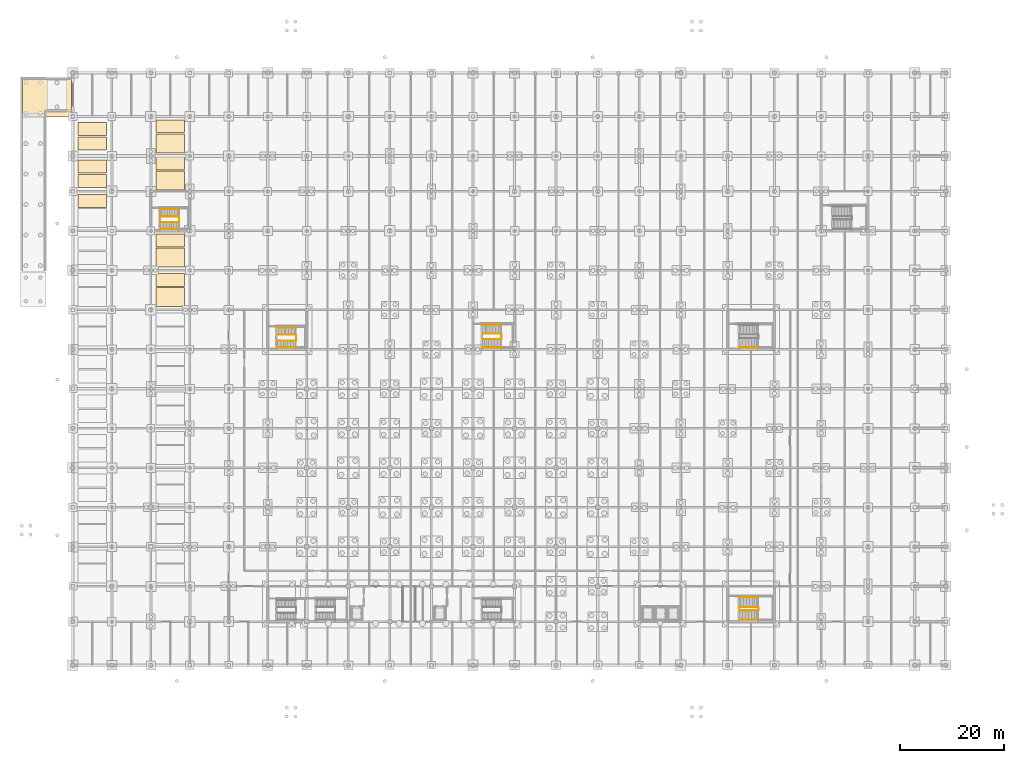
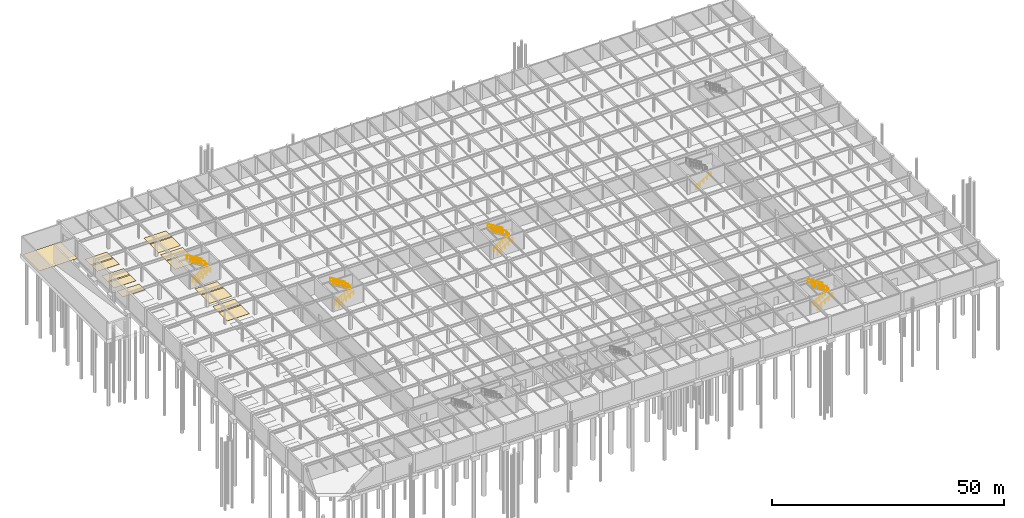
# One storey, part 51 of 53: 14 coverings, 13 railings.
"""IFC4 building model written with IfcOpenShell, lengths in metres."""

from ifc_helpers import new_model, si_unit, direction, frame, origin, origin_2d, place, context, subcontext, project, spatial, polyline, circle, outline, extrude, material, layer, layer_set, type_object, element, save


model = new_model("IFC4")

# Units and contexts
model_context = context("Model", 3, precision=1e-05, world=origin(), true_north=direction((0.0, 1.0)))
body_context = subcontext(model_context, "Body", "Model", "MODEL_VIEW")
ifc_project = project(units=[si_unit("LENGTHUNIT", "METRE"), si_unit("AREAUNIT", "SQUARE_METRE"), si_unit("VOLUMEUNIT", "CUBIC_METRE"), si_unit("PLANEANGLEUNIT", "RADIAN"), si_unit("MASSUNIT", "GRAM", prefix="KILO")], contexts=[model_context])

# Site, building, storey
site_placement = place(None, origin())
site = spatial("IfcSite", under=ifc_project, at=site_placement, CompositionType="ELEMENT")
building_placement = place(site_placement, origin())
building = spatial("IfcBuilding", under=site, at=building_placement, Name="Shalkamar Park Central Library", CompositionType="ELEMENT")
storey_placement = place(building_placement, frame((0.0, 0.0, -4.800048828125)))
storey = spatial("IfcBuildingStorey", under=building, at=storey_placement, Name="B1", CompositionType="ELEMENT", Elevation=-4.800048828125)

# Coverings
ifc_material_1 = material(Name="Thermoplastic accessible MGN parking bay marking", Category="other")
ifc_layer_1 = layer(ifc_material_1, 0.014892578125)
ifc_layer_set_1 = layer_set([ifc_layer_1], Name="AccessibleParkingBayMarking_3660x5500")
covering_type_1 = type_object("IfcCoveringType", Name="Accessible Parking Bay Marking 3660x5500", PredefinedType="FLOORING", material=ifc_layer_set_1)
covering_1_placement = place(storey_placement, origin())
element("IfcCovering", 1, at=covering_1_placement, inside=storey, type_object=covering_type_1, Name="Accessible MGN Parking Bay 13", PredefinedType="FLOORING", context=body_context, shape_type="SweptSolid", body=[
    extrude(outline(polyline([(136.0, 309.02001953125), (141.5, 309.02001953125), (141.5, 312.679931640625), (136.0, 312.679931640625), (136.0, 309.02001953125)])), origin(), (0.0, 0.0, 1.0), 0.01513671875),
])
covering_2_placement = place(storey_placement, origin())
element("IfcCovering", 2, at=covering_2_placement, inside=storey, type_object=covering_type_1, Name="Accessible MGN Parking Bay 14", PredefinedType="FLOORING", context=body_context, shape_type="SweptSolid", body=[
    extrude(outline(polyline([(136.0, 316.6201171875), (141.5, 316.6201171875), (141.5, 320.280029296875), (136.0, 320.280029296875), (136.0, 316.6201171875)])), origin(), (0.0, 0.0, 1.0), 0.01513671875),
])
covering_3_placement = place(storey_placement, origin())
element("IfcCovering", 3, at=covering_3_placement, inside=storey, type_object=covering_type_1, Name="Accessible MGN Parking Bay 15", PredefinedType="FLOORING", context=body_context, shape_type="SweptSolid", body=[
    extrude(outline(polyline([(136.0, 331.419921875), (141.5, 331.419921875), (141.5, 335.080078125), (136.0, 335.080078125), (136.0, 331.419921875)])), origin(), (0.0, 0.0, 1.0), 0.01513671875),
])
covering_4_placement = place(storey_placement, origin())
element("IfcCovering", 4, at=covering_4_placement, inside=storey, type_object=covering_type_1, Name="Accessible MGN Parking Bay 16", PredefinedType="FLOORING", context=body_context, shape_type="SweptSolid", body=[
    extrude(outline(polyline([(136.0, 338.6201171875), (141.5, 338.6201171875), (141.5, 342.280029296875), (136.0, 342.280029296875), (136.0, 338.6201171875)])), origin(), (0.0, 0.0, 1.0), 0.01513671875),
])
ifc_material_2 = material(Name="Flamed grey granite paving", Category="masonry")
ifc_layer_2 = layer(ifc_material_2, 0.0400390625)
ifc_layer_set_2 = layer_set([ifc_layer_2], Name="FlamedGranitePlazaPaving")
covering_type_2 = type_object("IfcCoveringType", Name="Flamed Granite Plaza Paving", PredefinedType="FLOORING", material=ifc_layer_set_2)
covering_5_placement = place(storey_placement, origin())
element("IfcCovering", 5, at=covering_5_placement, inside=storey, type_object=covering_type_2, Name="Car Park Vehicle Driveway Turning Court Paving", PredefinedType="FLOORING", context=body_context, shape_type="SweptSolid", body=[
    extrude(outline(polyline([(110.300048828125, 345.5), (119.77001953125, 345.5), (119.77001953125, 352.699951171875), (110.300048828125, 352.699951171875), (110.300048828125, 345.5)])), origin(), (0.0, 0.0, 1.0), 0.0400390625),
])

# Railings
ifc_material_3 = material(Name="Steel S355", Category="steel")
railing_type_1 = type_object("IfcRailingType", Name="Stair Guardrail 1100", PredefinedType="GUARDRAIL", material=ifc_material_3)
railing_1_placement = place(storey_placement, frame((159.27490234375, 302.465087890625, 0.17138671875)))
element("IfcRailing", 6, at=railing_1_placement, inside=storey, type_object=railing_type_1, Name="Stair Inner Well Guardrail ST-P2-B1", PredefinedType="GUARDRAIL", context=body_context, shape_type="SweptSolid", body=[
    extrude(circle(Radius=0.02392578125, at=origin_2d()), frame((0.0, 0.0, 1.076171875), z_axis=(0.852840387347, 0.0, 0.522171689878), x_axis=(0.0, 1.0, 0.0)), (0.0, 0.0, 1.0), 4.268310546875),
    extrude(circle(Radius=0.02392578125, at=origin_2d()), frame((3.64013671875, 0.0, 3.3046875), z_axis=(1.0, 0.0, 0.0), x_axis=(0.0, 1.0, 0.0)), (0.0, 0.0, 1.0), 0.06005859375),
    extrude(circle(Radius=0.02392578125, at=origin_2d()), frame((3.7001953125, 0.0, 3.3046875), z_axis=(0.0, 1.0, 0.0), x_axis=(-1.0, 0.0, 0.0)), (0.0, 0.0, 1.0), 1.119873046875),
    extrude(circle(Radius=0.02392578125, at=origin_2d()), frame((3.7001953125, 1.119873046875, 3.3046875), z_axis=(-0.33070969211, 0.0, 0.943732536021), x_axis=(0.0, -1.0, 0.0)), (0.0, 0.0, 1.0), 0.181640625),
    extrude(circle(Radius=0.02392578125, at=origin_2d()), frame((3.64013671875, 1.119873046875, 3.47607421875), z_axis=(-0.852865859571, 0.0, 0.52213008492), x_axis=(0.0, -1.0, 0.0)), (0.0, 0.0, 1.0), 4.26806640625),
    extrude(circle(Radius=0.02099609375, at=origin_2d()), origin(), (0.0, 0.0, 1.0), 1.052001953125),
    extrude(circle(Radius=0.02099609375, at=origin_2d()), frame((0.72802734375, 0.0, 0.44580078125)), (0.0, 0.0, 1.0), 1.052001953125),
    extrude(circle(Radius=0.02099609375, at=origin_2d()), frame((1.4560546875, 0.0, 0.8916015625)), (0.0, 0.0, 1.0), 1.052001953125),
    extrude(circle(Radius=0.02099609375, at=origin_2d()), frame((2.18408203125, 0.0, 1.337158203125)), (0.0, 0.0, 1.0), 1.052001953125),
    extrude(circle(Radius=0.02099609375, at=origin_2d()), frame((2.912109375, 0.0, 1.782958984375)), (0.0, 0.0, 1.0), 1.052001953125),
    extrude(circle(Radius=0.02099609375, at=origin_2d()), frame((3.64013671875, 0.0, 2.228759765625)), (0.0, 0.0, 1.0), 1.052001953125),
    extrude(circle(Radius=0.02099609375, at=origin_2d()), frame((3.7001953125, 0.0, 2.228759765625)), (0.0, 0.0, 1.0), 1.052001953125),
    extrude(circle(Radius=0.02099609375, at=origin_2d()), frame((3.7001953125, 0.56005859375, 2.228759765625)), (0.0, 0.0, 1.0), 1.052001953125),
    extrude(circle(Radius=0.02099609375, at=origin_2d()), frame((3.7001953125, 1.119873046875, 2.228759765625)), (0.0, 0.0, 1.0), 1.052001953125),
    extrude(circle(Radius=0.02099609375, at=origin_2d()), frame((3.64013671875, 1.119873046875, 2.400146484375)), (0.0, 0.0, 1.0), 1.052001953125),
    extrude(circle(Radius=0.02099609375, at=origin_2d()), frame((2.912109375, 1.119873046875, 2.845947265625)), (0.0, 0.0, 1.0), 1.052001953125),
    extrude(circle(Radius=0.02099609375, at=origin_2d()), frame((2.18408203125, 1.119873046875, 3.29150390625)), (0.0, 0.0, 1.0), 1.052001953125),
    extrude(circle(Radius=0.02099609375, at=origin_2d()), frame((1.4560546875, 1.119873046875, 3.7373046875)), (0.0, 0.0, 1.0), 1.052001953125),
    extrude(circle(Radius=0.02099609375, at=origin_2d()), frame((0.72802734375, 1.119873046875, 4.182861328125)), (0.0, 0.0, 1.0), 1.052001953125),
    extrude(circle(Radius=0.02099609375, at=origin_2d()), frame((0.0, 1.119873046875, 4.628662109375)), (0.0, 0.0, 1.0), 1.052001953125),
])
railing_2_placement = place(storey_placement, frame((248.22509765625, 250.56494140625, 0.17138671875)))
element("IfcRailing", 7, at=railing_2_placement, inside=storey, type_object=railing_type_1, Name="Stair Inner Well Guardrail ST-P3-B1", PredefinedType="GUARDRAIL", context=body_context, shape_type="SweptSolid", body=[
    extrude(circle(Radius=0.02392578125, at=origin_2d()), frame((0.0, 0.0, 1.076171875), z_axis=(0.852824790078, 0.0, 0.522197163366), x_axis=(0.0, 1.0, 0.0)), (0.0, 0.0, 1.0), 4.26806640625),
    extrude(circle(Radius=0.02392578125, at=origin_2d()), frame((3.639892578125, 0.0, 3.3046875), z_axis=(1.0, 0.0, 0.0), x_axis=(0.0, 1.0, 0.0)), (0.0, 0.0, 1.0), 0.06005859375),
    extrude(circle(Radius=0.02392578125, at=origin_2d()), frame((3.699951171875, 0.0, 3.3046875), z_axis=(0.0, 1.0, 0.0), x_axis=(-1.0, 0.0, 0.0)), (0.0, 0.0, 1.0), 0.6201171875),
    extrude(circle(Radius=0.02392578125, at=origin_2d()), frame((3.699951171875, 0.6201171875, 3.3046875), z_axis=(-0.33070969211, 0.0, 0.943732536021), x_axis=(0.0, -1.0, 0.0)), (0.0, 0.0, 1.0), 0.181640625),
    extrude(circle(Radius=0.02392578125, at=origin_2d()), frame((3.639892578125, 0.6201171875, 3.47607421875), z_axis=(-0.852850264322, 0.0, 0.5221555579), x_axis=(0.0, -1.0, 0.0)), (0.0, 0.0, 1.0), 4.267822265625),
    extrude(circle(Radius=0.02099609375, at=origin_2d()), origin(), (0.0, 0.0, 1.0), 1.052001953125),
    extrude(circle(Radius=0.02099609375, at=origin_2d()), frame((0.72802734375, 0.0, 0.44580078125)), (0.0, 0.0, 1.0), 1.052001953125),
    extrude(circle(Radius=0.02099609375, at=origin_2d()), frame((1.4560546875, 0.0, 0.8916015625)), (0.0, 0.0, 1.0), 1.052001953125),
    extrude(circle(Radius=0.02099609375, at=origin_2d()), frame((2.183837890625, 0.0, 1.337158203125)), (0.0, 0.0, 1.0), 1.052001953125),
    extrude(circle(Radius=0.02099609375, at=origin_2d()), frame((2.911865234375, 0.0, 1.782958984375)), (0.0, 0.0, 1.0), 1.052001953125),
    extrude(circle(Radius=0.02099609375, at=origin_2d()), frame((3.639892578125, 0.0, 2.228759765625)), (0.0, 0.0, 1.0), 1.052001953125),
    extrude(circle(Radius=0.02099609375, at=origin_2d()), frame((3.699951171875, 0.0, 2.228759765625)), (0.0, 0.0, 1.0), 1.052001953125),
    extrude(circle(Radius=0.02099609375, at=origin_2d()), frame((3.699951171875, 0.6201171875, 2.228759765625)), (0.0, 0.0, 1.0), 1.052001953125),
    extrude(circle(Radius=0.02099609375, at=origin_2d()), frame((3.639892578125, 0.6201171875, 2.400146484375)), (0.0, 0.0, 1.0), 1.052001953125),
    extrude(circle(Radius=0.02099609375, at=origin_2d()), frame((2.911865234375, 0.6201171875, 2.845947265625)), (0.0, 0.0, 1.0), 1.052001953125),
    extrude(circle(Radius=0.02099609375, at=origin_2d()), frame((2.183837890625, 0.6201171875, 3.29150390625)), (0.0, 0.0, 1.0), 1.052001953125),
    extrude(circle(Radius=0.02099609375, at=origin_2d()), frame((1.4560546875, 0.6201171875, 3.7373046875)), (0.0, 0.0, 1.0), 1.052001953125),
    extrude(circle(Radius=0.02099609375, at=origin_2d()), frame((0.72802734375, 0.6201171875, 4.182861328125)), (0.0, 0.0, 1.0), 1.052001953125),
    extrude(circle(Radius=0.02099609375, at=origin_2d()), frame((0.0, 0.6201171875, 4.628662109375)), (0.0, 0.0, 1.0), 1.052001953125),
])
railing_3_placement = place(storey_placement, frame((136.77490234375, 325.264892578125, 0.17138671875)))
element("IfcRailing", 8, at=railing_3_placement, inside=storey, type_object=railing_type_1, Name="Stair Inner Well Guardrail ST-P5-B1", PredefinedType="GUARDRAIL", context=body_context, shape_type="SweptSolid", body=[
    extrude(circle(Radius=0.02392578125, at=origin_2d()), frame((0.0, 0.0, 1.076171875), z_axis=(0.852840387347, 0.0, 0.522171689878), x_axis=(0.0, 1.0, 0.0)), (0.0, 0.0, 1.0), 4.268310546875),
    extrude(circle(Radius=0.02392578125, at=origin_2d()), frame((3.64013671875, 0.0, 3.3046875), z_axis=(1.0, 0.0, 0.0), x_axis=(0.0, 1.0, 0.0)), (0.0, 0.0, 1.0), 0.06005859375),
    extrude(circle(Radius=0.02392578125, at=origin_2d()), frame((3.7001953125, 0.0, 3.3046875), z_axis=(0.0, 1.0, 0.0), x_axis=(-1.0, 0.0, 0.0)), (0.0, 0.0, 1.0), 1.1201171875),
    extrude(circle(Radius=0.02392578125, at=origin_2d()), frame((3.7001953125, 1.1201171875, 3.3046875), z_axis=(-0.33070969211, 0.0, 0.943732536021), x_axis=(0.0, -1.0, 0.0)), (0.0, 0.0, 1.0), 0.181640625),
    extrude(circle(Radius=0.02392578125, at=origin_2d()), frame((3.64013671875, 1.1201171875, 3.47607421875), z_axis=(-0.852865859571, 0.0, 0.52213008492), x_axis=(0.0, -1.0, 0.0)), (0.0, 0.0, 1.0), 4.26806640625),
    extrude(circle(Radius=0.02099609375, at=origin_2d()), origin(), (0.0, 0.0, 1.0), 1.052001953125),
    extrude(circle(Radius=0.02099609375, at=origin_2d()), frame((0.72802734375, 0.0, 0.44580078125)), (0.0, 0.0, 1.0), 1.052001953125),
    extrude(circle(Radius=0.02099609375, at=origin_2d()), frame((1.4560546875, 0.0, 0.8916015625)), (0.0, 0.0, 1.0), 1.052001953125),
    extrude(circle(Radius=0.02099609375, at=origin_2d()), frame((2.18408203125, 0.0, 1.337158203125)), (0.0, 0.0, 1.0), 1.052001953125),
    extrude(circle(Radius=0.02099609375, at=origin_2d()), frame((2.912109375, 0.0, 1.782958984375)), (0.0, 0.0, 1.0), 1.052001953125),
    extrude(circle(Radius=0.02099609375, at=origin_2d()), frame((3.64013671875, 0.0, 2.228759765625)), (0.0, 0.0, 1.0), 1.052001953125),
    extrude(circle(Radius=0.02099609375, at=origin_2d()), frame((3.7001953125, 0.0, 2.228759765625)), (0.0, 0.0, 1.0), 1.052001953125),
    extrude(circle(Radius=0.02099609375, at=origin_2d()), frame((3.7001953125, 0.56005859375, 2.228759765625)), (0.0, 0.0, 1.0), 1.052001953125),
    extrude(circle(Radius=0.02099609375, at=origin_2d()), frame((3.7001953125, 1.1201171875, 2.228759765625)), (0.0, 0.0, 1.0), 1.052001953125),
    extrude(circle(Radius=0.02099609375, at=origin_2d()), frame((3.64013671875, 1.1201171875, 2.400146484375)), (0.0, 0.0, 1.0), 1.052001953125),
    extrude(circle(Radius=0.02099609375, at=origin_2d()), frame((2.912109375, 1.1201171875, 2.845947265625)), (0.0, 0.0, 1.0), 1.052001953125),
    extrude(circle(Radius=0.02099609375, at=origin_2d()), frame((2.18408203125, 1.1201171875, 3.29150390625)), (0.0, 0.0, 1.0), 1.052001953125),
    extrude(circle(Radius=0.02099609375, at=origin_2d()), frame((1.4560546875, 1.1201171875, 3.7373046875)), (0.0, 0.0, 1.0), 1.052001953125),
    extrude(circle(Radius=0.02099609375, at=origin_2d()), frame((0.72802734375, 1.1201171875, 4.182861328125)), (0.0, 0.0, 1.0), 1.052001953125),
    extrude(circle(Radius=0.02099609375, at=origin_2d()), frame((0.0, 1.1201171875, 4.628662109375)), (0.0, 0.0, 1.0), 1.052001953125),
])
railing_4_placement = place(storey_placement, frame((198.794921875, 302.764892578125, 0.17138671875)))
element("IfcRailing", 9, at=railing_4_placement, inside=storey, type_object=railing_type_1, Name="Stair Inner Well Guardrail ST-P7-B1", PredefinedType="GUARDRAIL", context=body_context, shape_type="SweptSolid", body=[
    extrude(circle(Radius=0.02392578125, at=origin_2d()), frame((0.0, 0.0, 1.076171875), z_axis=(0.852840387347, 0.0, 0.522171689878), x_axis=(0.0, 1.0, 0.0)), (0.0, 0.0, 1.0), 4.268310546875),
    extrude(circle(Radius=0.02392578125, at=origin_2d()), frame((3.64013671875, 0.0, 3.3046875), z_axis=(1.0, 0.0, 0.0), x_axis=(0.0, 1.0, 0.0)), (0.0, 0.0, 1.0), 0.06005859375),
    extrude(circle(Radius=0.02392578125, at=origin_2d()), frame((3.7001953125, 0.0, 3.3046875), z_axis=(0.0, 1.0, 0.0), x_axis=(-1.0, 0.0, 0.0)), (0.0, 0.0, 1.0), 1.02001953125),
    extrude(circle(Radius=0.02392578125, at=origin_2d()), frame((3.7001953125, 1.02001953125, 3.3046875), z_axis=(-0.33070969211, 0.0, 0.943732536021), x_axis=(0.0, -1.0, 0.0)), (0.0, 0.0, 1.0), 0.181640625),
    extrude(circle(Radius=0.02392578125, at=origin_2d()), frame((3.64013671875, 1.02001953125, 3.47607421875), z_axis=(-0.852865859571, 0.0, 0.52213008492), x_axis=(0.0, -1.0, 0.0)), (0.0, 0.0, 1.0), 4.26806640625),
    extrude(circle(Radius=0.02099609375, at=origin_2d()), origin(), (0.0, 0.0, 1.0), 1.052001953125),
    extrude(circle(Radius=0.02099609375, at=origin_2d()), frame((0.72802734375, 0.0, 0.44580078125)), (0.0, 0.0, 1.0), 1.052001953125),
    extrude(circle(Radius=0.02099609375, at=origin_2d()), frame((1.4560546875, 0.0, 0.8916015625)), (0.0, 0.0, 1.0), 1.052001953125),
    extrude(circle(Radius=0.02099609375, at=origin_2d()), frame((2.18408203125, 0.0, 1.337158203125)), (0.0, 0.0, 1.0), 1.052001953125),
    extrude(circle(Radius=0.02099609375, at=origin_2d()), frame((2.912109375, 0.0, 1.782958984375)), (0.0, 0.0, 1.0), 1.052001953125),
    extrude(circle(Radius=0.02099609375, at=origin_2d()), frame((3.64013671875, 0.0, 2.228759765625)), (0.0, 0.0, 1.0), 1.052001953125),
    extrude(circle(Radius=0.02099609375, at=origin_2d()), frame((3.7001953125, 0.0, 2.228759765625)), (0.0, 0.0, 1.0), 1.052001953125),
    extrude(circle(Radius=0.02099609375, at=origin_2d()), frame((3.7001953125, 0.510009765625, 2.228759765625)), (0.0, 0.0, 1.0), 1.052001953125),
    extrude(circle(Radius=0.02099609375, at=origin_2d()), frame((3.7001953125, 1.02001953125, 2.228759765625)), (0.0, 0.0, 1.0), 1.052001953125),
    extrude(circle(Radius=0.02099609375, at=origin_2d()), frame((3.64013671875, 1.02001953125, 2.400146484375)), (0.0, 0.0, 1.0), 1.052001953125),
    extrude(circle(Radius=0.02099609375, at=origin_2d()), frame((2.912109375, 1.02001953125, 2.845947265625)), (0.0, 0.0, 1.0), 1.052001953125),
    extrude(circle(Radius=0.02099609375, at=origin_2d()), frame((2.18408203125, 1.02001953125, 3.29150390625)), (0.0, 0.0, 1.0), 1.052001953125),
    extrude(circle(Radius=0.02099609375, at=origin_2d()), frame((1.4560546875, 1.02001953125, 3.7373046875)), (0.0, 0.0, 1.0), 1.052001953125),
    extrude(circle(Radius=0.02099609375, at=origin_2d()), frame((0.72802734375, 1.02001953125, 4.182861328125)), (0.0, 0.0, 1.0), 1.052001953125),
    extrude(circle(Radius=0.02099609375, at=origin_2d()), frame((0.0, 1.02001953125, 4.628662109375)), (0.0, 0.0, 1.0), 1.052001953125),
])
railing_type_2 = type_object("IfcRailingType", Name="Stair Pitched Handrail 920", PredefinedType="HANDRAIL", material=ifc_material_3)
railing_5_placement = place(storey_placement, frame((159.27490234375, 301.155029296875, 0.17138671875)))
element("IfcRailing", 10, at=railing_5_placement, inside=storey, type_object=railing_type_2, Name="Stair Wall Handrail ST-P2-B1 Flight 1", PredefinedType="HANDRAIL", context=body_context, shape_type="SweptSolid", body=[
    extrude(circle(Radius=0.02392578125, at=origin_2d()), frame((0.0, 0.0, 0.89599609375), z_axis=(0.852840387347, 0.0, 0.522171689878), x_axis=(0.0, 1.0, 0.0)), (0.0, 0.0, 1.0), 4.268310546875),
    extrude(circle(Radius=0.02099609375, at=origin_2d()), origin(), (0.0, 0.0, 1.0), 0.871826171875),
    extrude(circle(Radius=0.02099609375, at=origin_2d()), frame((0.91015625, 0.0, 0.55712890625)), (0.0, 0.0, 1.0), 0.871826171875),
    extrude(circle(Radius=0.02099609375, at=origin_2d()), frame((1.820068359375, 0.0, 1.1142578125)), (0.0, 0.0, 1.0), 0.871826171875),
    extrude(circle(Radius=0.02099609375, at=origin_2d()), frame((2.72998046875, 0.0, 1.671630859375)), (0.0, 0.0, 1.0), 0.871826171875),
    extrude(circle(Radius=0.02099609375, at=origin_2d()), frame((3.64013671875, 0.0, 2.228759765625)), (0.0, 0.0, 1.0), 0.871826171875),
])
railing_6_placement = place(storey_placement, frame((162.9150390625, 304.97509765625, 2.571533203125)))
element("IfcRailing", 11, at=railing_6_placement, inside=storey, type_object=railing_type_2, Name="Stair Wall Handrail ST-P2-B1 Flight 2", PredefinedType="HANDRAIL", context=body_context, shape_type="SweptSolid", body=[
    extrude(circle(Radius=0.02392578125, at=origin_2d()), frame((0.0, 0.0, 0.89599609375), z_axis=(-0.852865859571, 0.0, 0.52213008492), x_axis=(0.0, -1.0, 0.0)), (0.0, 0.0, 1.0), 4.26806640625),
    extrude(circle(Radius=0.02099609375, at=origin_2d()), origin(), (0.0, 0.0, 1.0), 0.871826171875),
    extrude(circle(Radius=0.02099609375, at=origin_2d()), frame((-0.91015625, 0.0, 0.55712890625)), (0.0, 0.0, 1.0), 0.871826171875),
    extrude(circle(Radius=0.02099609375, at=origin_2d()), frame((-1.820068359375, 0.0, 1.1142578125)), (0.0, 0.0, 1.0), 0.871826171875),
    extrude(circle(Radius=0.02099609375, at=origin_2d()), frame((-2.72998046875, 0.0, 1.67138671875)), (0.0, 0.0, 1.0), 0.871826171875),
    extrude(circle(Radius=0.02099609375, at=origin_2d()), frame((-3.64013671875, 0.0, 2.228515625)), (0.0, 0.0, 1.0), 0.871826171875),
])
railing_7_placement = place(storey_placement, frame((248.22509765625, 248.7548828125, 0.17138671875)))
element("IfcRailing", 12, at=railing_7_placement, inside=storey, type_object=railing_type_2, Name="Stair Wall Handrail ST-P3-B1 Flight 1", PredefinedType="HANDRAIL", context=body_context, shape_type="SweptSolid", body=[
    extrude(circle(Radius=0.02392578125, at=origin_2d()), frame((0.0, 0.0, 0.89599609375), z_axis=(0.852824790078, 0.0, 0.522197163366), x_axis=(0.0, 1.0, 0.0)), (0.0, 0.0, 1.0), 4.26806640625),
    extrude(circle(Radius=0.02099609375, at=origin_2d()), origin(), (0.0, 0.0, 1.0), 0.871826171875),
    extrude(circle(Radius=0.02099609375, at=origin_2d()), frame((0.909912109375, 0.0, 0.55712890625)), (0.0, 0.0, 1.0), 0.871826171875),
    extrude(circle(Radius=0.02099609375, at=origin_2d()), frame((1.81982421875, 0.0, 1.1142578125)), (0.0, 0.0, 1.0), 0.871826171875),
    extrude(circle(Radius=0.02099609375, at=origin_2d()), frame((2.72998046875, 0.0, 1.671630859375)), (0.0, 0.0, 1.0), 0.871826171875),
    extrude(circle(Radius=0.02099609375, at=origin_2d()), frame((3.639892578125, 0.0, 2.228759765625)), (0.0, 0.0, 1.0), 0.871826171875),
])
railing_8_placement = place(storey_placement, frame((251.864990234375, 253.074951171875, 2.571533203125)))
element("IfcRailing", 13, at=railing_8_placement, inside=storey, type_object=railing_type_2, Name="Stair Wall Handrail ST-P3-B1 Flight 2", PredefinedType="HANDRAIL", context=body_context, shape_type="SweptSolid", body=[
    extrude(circle(Radius=0.02392578125, at=origin_2d()), frame((0.0, 0.0, 0.89599609375), z_axis=(-0.852850264322, 0.0, 0.5221555579), x_axis=(0.0, -1.0, 0.0)), (0.0, 0.0, 1.0), 4.267822265625),
    extrude(circle(Radius=0.02099609375, at=origin_2d()), origin(), (0.0, 0.0, 1.0), 0.871826171875),
    extrude(circle(Radius=0.02099609375, at=origin_2d()), frame((-0.909912109375, 0.0, 0.55712890625)), (0.0, 0.0, 1.0), 0.871826171875),
    extrude(circle(Radius=0.02099609375, at=origin_2d()), frame((-1.81982421875, 0.0, 1.1142578125)), (0.0, 0.0, 1.0), 0.871826171875),
    extrude(circle(Radius=0.02099609375, at=origin_2d()), frame((-2.72998046875, 0.0, 1.67138671875)), (0.0, 0.0, 1.0), 0.871826171875),
    extrude(circle(Radius=0.02099609375, at=origin_2d()), frame((-3.639892578125, 0.0, 2.228515625)), (0.0, 0.0, 1.0), 0.871826171875),
])
railing_9_placement = place(storey_placement, frame((248.22509765625, 301.155029296875, 0.17138671875)))
element("IfcRailing", 14, at=railing_9_placement, inside=storey, type_object=railing_type_2, Name="Stair Wall Handrail ST-P4-B1 Flight 1", PredefinedType="HANDRAIL", context=body_context, shape_type="SweptSolid", body=[
    extrude(circle(Radius=0.02392578125, at=origin_2d()), frame((0.0, 0.0, 0.89599609375), z_axis=(0.852824790078, 0.0, 0.522197163366), x_axis=(0.0, 1.0, 0.0)), (0.0, 0.0, 1.0), 4.26806640625),
    extrude(circle(Radius=0.02099609375, at=origin_2d()), origin(), (0.0, 0.0, 1.0), 0.871826171875),
    extrude(circle(Radius=0.02099609375, at=origin_2d()), frame((0.909912109375, 0.0, 0.55712890625)), (0.0, 0.0, 1.0), 0.871826171875),
    extrude(circle(Radius=0.02099609375, at=origin_2d()), frame((1.81982421875, 0.0, 1.1142578125)), (0.0, 0.0, 1.0), 0.871826171875),
    extrude(circle(Radius=0.02099609375, at=origin_2d()), frame((2.72998046875, 0.0, 1.671630859375)), (0.0, 0.0, 1.0), 0.871826171875),
    extrude(circle(Radius=0.02099609375, at=origin_2d()), frame((3.639892578125, 0.0, 2.228759765625)), (0.0, 0.0, 1.0), 0.871826171875),
])
railing_10_placement = place(storey_placement, frame((136.77490234375, 323.955078125, 0.17138671875)))
element("IfcRailing", 15, at=railing_10_placement, inside=storey, type_object=railing_type_2, Name="Stair Wall Handrail ST-P5-B1 Flight 1", PredefinedType="HANDRAIL", context=body_context, shape_type="SweptSolid", body=[
    extrude(circle(Radius=0.02392578125, at=origin_2d()), frame((0.0, 0.0, 0.89599609375), z_axis=(0.852840387347, 0.0, 0.522171689878), x_axis=(0.0, 1.0, 0.0)), (0.0, 0.0, 1.0), 4.268310546875),
    extrude(circle(Radius=0.02099609375, at=origin_2d()), origin(), (0.0, 0.0, 1.0), 0.871826171875),
    extrude(circle(Radius=0.02099609375, at=origin_2d()), frame((0.91015625, 0.0, 0.55712890625)), (0.0, 0.0, 1.0), 0.871826171875),
    extrude(circle(Radius=0.02099609375, at=origin_2d()), frame((1.820068359375, 0.0, 1.1142578125)), (0.0, 0.0, 1.0), 0.871826171875),
    extrude(circle(Radius=0.02099609375, at=origin_2d()), frame((2.72998046875, 0.0, 1.671630859375)), (0.0, 0.0, 1.0), 0.871826171875),
    extrude(circle(Radius=0.02099609375, at=origin_2d()), frame((3.64013671875, 0.0, 2.228759765625)), (0.0, 0.0, 1.0), 0.871826171875),
])
railing_11_placement = place(storey_placement, frame((140.4150390625, 327.77490234375, 2.571533203125)))
element("IfcRailing", 16, at=railing_11_placement, inside=storey, type_object=railing_type_2, Name="Stair Wall Handrail ST-P5-B1 Flight 2", PredefinedType="HANDRAIL", context=body_context, shape_type="SweptSolid", body=[
    extrude(circle(Radius=0.02392578125, at=origin_2d()), frame((0.0, 0.0, 0.89599609375), z_axis=(-0.852865859571, 0.0, 0.52213008492), x_axis=(0.0, -1.0, 0.0)), (0.0, 0.0, 1.0), 4.26806640625),
    extrude(circle(Radius=0.02099609375, at=origin_2d()), origin(), (0.0, 0.0, 1.0), 0.871826171875),
    extrude(circle(Radius=0.02099609375, at=origin_2d()), frame((-0.91015625, 0.0, 0.55712890625)), (0.0, 0.0, 1.0), 0.871826171875),
    extrude(circle(Radius=0.02099609375, at=origin_2d()), frame((-1.820068359375, 0.0, 1.1142578125)), (0.0, 0.0, 1.0), 0.871826171875),
    extrude(circle(Radius=0.02099609375, at=origin_2d()), frame((-2.72998046875, 0.0, 1.67138671875)), (0.0, 0.0, 1.0), 0.871826171875),
    extrude(circle(Radius=0.02099609375, at=origin_2d()), frame((-3.64013671875, 0.0, 2.228515625)), (0.0, 0.0, 1.0), 0.871826171875),
])
railing_12_placement = place(storey_placement, frame((198.794921875, 301.155029296875, 0.17138671875)))
element("IfcRailing", 17, at=railing_12_placement, inside=storey, type_object=railing_type_2, Name="Stair Wall Handrail ST-P7-B1 Flight 1", PredefinedType="HANDRAIL", context=body_context, shape_type="SweptSolid", body=[
    extrude(circle(Radius=0.02392578125, at=origin_2d()), frame((0.0, 0.0, 0.89599609375), z_axis=(0.852840387347, 0.0, 0.522171689878), x_axis=(0.0, 1.0, 0.0)), (0.0, 0.0, 1.0), 4.268310546875),
    extrude(circle(Radius=0.02099609375, at=origin_2d()), origin(), (0.0, 0.0, 1.0), 0.871826171875),
    extrude(circle(Radius=0.02099609375, at=origin_2d()), frame((0.91015625, 0.0, 0.55712890625)), (0.0, 0.0, 1.0), 0.871826171875),
    extrude(circle(Radius=0.02099609375, at=origin_2d()), frame((1.820068359375, 0.0, 1.1142578125)), (0.0, 0.0, 1.0), 0.871826171875),
    extrude(circle(Radius=0.02099609375, at=origin_2d()), frame((2.72998046875, 0.0, 1.671630859375)), (0.0, 0.0, 1.0), 0.871826171875),
    extrude(circle(Radius=0.02099609375, at=origin_2d()), frame((3.64013671875, 0.0, 2.228759765625)), (0.0, 0.0, 1.0), 0.871826171875),
])
railing_13_placement = place(storey_placement, frame((202.43505859375, 305.47509765625, 2.571533203125)))
element("IfcRailing", 18, at=railing_13_placement, inside=storey, type_object=railing_type_2, Name="Stair Wall Handrail ST-P7-B1 Flight 2", PredefinedType="HANDRAIL", context=body_context, shape_type="SweptSolid", body=[
    extrude(circle(Radius=0.02392578125, at=origin_2d()), frame((0.0, 0.0, 0.89599609375), z_axis=(-0.852865859571, 0.0, 0.52213008492), x_axis=(0.0, -1.0, 0.0)), (0.0, 0.0, 1.0), 4.26806640625),
    extrude(circle(Radius=0.02099609375, at=origin_2d()), origin(), (0.0, 0.0, 1.0), 0.871826171875),
    extrude(circle(Radius=0.02099609375, at=origin_2d()), frame((-0.91015625, 0.0, 0.55712890625)), (0.0, 0.0, 1.0), 0.871826171875),
    extrude(circle(Radius=0.02099609375, at=origin_2d()), frame((-1.820068359375, 0.0, 1.1142578125)), (0.0, 0.0, 1.0), 0.871826171875),
    extrude(circle(Radius=0.02099609375, at=origin_2d()), frame((-2.72998046875, 0.0, 1.67138671875)), (0.0, 0.0, 1.0), 0.871826171875),
    extrude(circle(Radius=0.02099609375, at=origin_2d()), frame((-3.64013671875, 0.0, 2.228515625)), (0.0, 0.0, 1.0), 0.871826171875),
])

# Coverings
ifc_material_4 = material(Name="Thermoplastic parking bay floor marking", Category="other")
ifc_layer_3 = layer(ifc_material_4, 0.014892578125)
ifc_layer_set_3 = layer_set([ifc_layer_3], Name="StandardParkingBayMarking_2500x5500")
covering_type_3 = type_object("IfcCoveringType", Name="Standard Parking Bay Marking 2500x5500", PredefinedType="FLOORING", material=ifc_layer_set_3)
covering_6_placement = place(storey_placement, origin())
element("IfcCovering", 19, at=covering_6_placement, inside=storey, type_object=covering_type_3, Name="Standard Car Parking Bay 15", PredefinedType="FLOORING", context=body_context, shape_type="SweptSolid", body=[
    extrude(outline(polyline([(121.0, 328.080078125), (126.5, 328.080078125), (126.5, 330.580078125), (121.0, 330.580078125), (121.0, 328.080078125)])), origin(), (0.0, 0.0, 1.0), 0.01513671875),
])
covering_7_placement = place(storey_placement, origin())
element("IfcCovering", 20, at=covering_7_placement, inside=storey, type_object=covering_type_3, Name="Standard Car Parking Bay 16", PredefinedType="FLOORING", context=body_context, shape_type="SweptSolid", body=[
    extrude(outline(polyline([(121.0, 331.949951171875), (126.5, 331.949951171875), (126.5, 334.449951171875), (121.0, 334.449951171875), (121.0, 331.949951171875)])), origin(), (0.0, 0.0, 1.0), 0.01513671875),
])
covering_8_placement = place(storey_placement, origin())
element("IfcCovering", 21, at=covering_8_placement, inside=storey, type_object=covering_type_3, Name="Standard Car Parking Bay 17", PredefinedType="FLOORING", context=body_context, shape_type="SweptSolid", body=[
    extrude(outline(polyline([(121.0, 334.75), (126.5, 334.75), (126.5, 337.25), (121.0, 337.25), (121.0, 334.75)])), origin(), (0.0, 0.0, 1.0), 0.01513671875),
])
covering_9_placement = place(storey_placement, origin())
element("IfcCovering", 22, at=covering_9_placement, inside=storey, type_object=covering_type_3, Name="Standard Car Parking Bay 18", PredefinedType="FLOORING", context=body_context, shape_type="SweptSolid", body=[
    extrude(outline(polyline([(121.0, 339.14990234375), (126.5, 339.14990234375), (126.5, 341.64990234375), (121.0, 341.64990234375), (121.0, 339.14990234375)])), origin(), (0.0, 0.0, 1.0), 0.01513671875),
])
covering_10_placement = place(storey_placement, origin())
element("IfcCovering", 23, at=covering_10_placement, inside=storey, type_object=covering_type_3, Name="Standard Car Parking Bay 19", PredefinedType="FLOORING", context=body_context, shape_type="SweptSolid", body=[
    extrude(outline(polyline([(121.0, 341.949951171875), (126.5, 341.949951171875), (126.5, 344.449951171875), (121.0, 344.449951171875), (121.0, 341.949951171875)])), origin(), (0.0, 0.0, 1.0), 0.01513671875),
])
covering_11_placement = place(storey_placement, origin())
element("IfcCovering", 24, at=covering_11_placement, inside=storey, type_object=covering_type_3, Name="Standard Car Parking Bay 27", PredefinedType="FLOORING", context=body_context, shape_type="SweptSolid", body=[
    extrude(outline(polyline([(136.0, 312.8798828125), (141.5, 312.8798828125), (141.5, 315.3798828125), (136.0, 315.3798828125), (136.0, 312.8798828125)])), origin(), (0.0, 0.0, 1.0), 0.01513671875),
])
covering_12_placement = place(storey_placement, origin())
element("IfcCovering", 25, at=covering_12_placement, inside=storey, type_object=covering_type_3, Name="Standard Car Parking Bay 28", PredefinedType="FLOORING", context=body_context, shape_type="SweptSolid", body=[
    extrude(outline(polyline([(136.0, 320.47998046875), (141.5, 320.47998046875), (141.5, 322.97998046875), (136.0, 322.97998046875), (136.0, 320.47998046875)])), origin(), (0.0, 0.0, 1.0), 0.01513671875),
])
covering_13_placement = place(storey_placement, origin())
element("IfcCovering", 26, at=covering_13_placement, inside=storey, type_object=covering_type_3, Name="Standard Car Parking Bay 29", PredefinedType="FLOORING", context=body_context, shape_type="SweptSolid", body=[
    extrude(outline(polyline([(136.0, 335.280029296875), (141.5, 335.280029296875), (141.5, 337.780029296875), (136.0, 337.780029296875), (136.0, 335.280029296875)])), origin(), (0.0, 0.0, 1.0), 0.01513671875),
])
covering_14_placement = place(storey_placement, origin())
element("IfcCovering", 27, at=covering_14_placement, inside=storey, type_object=covering_type_3, Name="Standard Car Parking Bay 30", PredefinedType="FLOORING", context=body_context, shape_type="SweptSolid", body=[
    extrude(outline(polyline([(136.0, 342.47998046875), (141.5, 342.47998046875), (141.5, 344.97998046875), (136.0, 344.97998046875), (136.0, 342.47998046875)])), origin(), (0.0, 0.0, 1.0), 0.01513671875),
])

save(model, "model.ifc")
